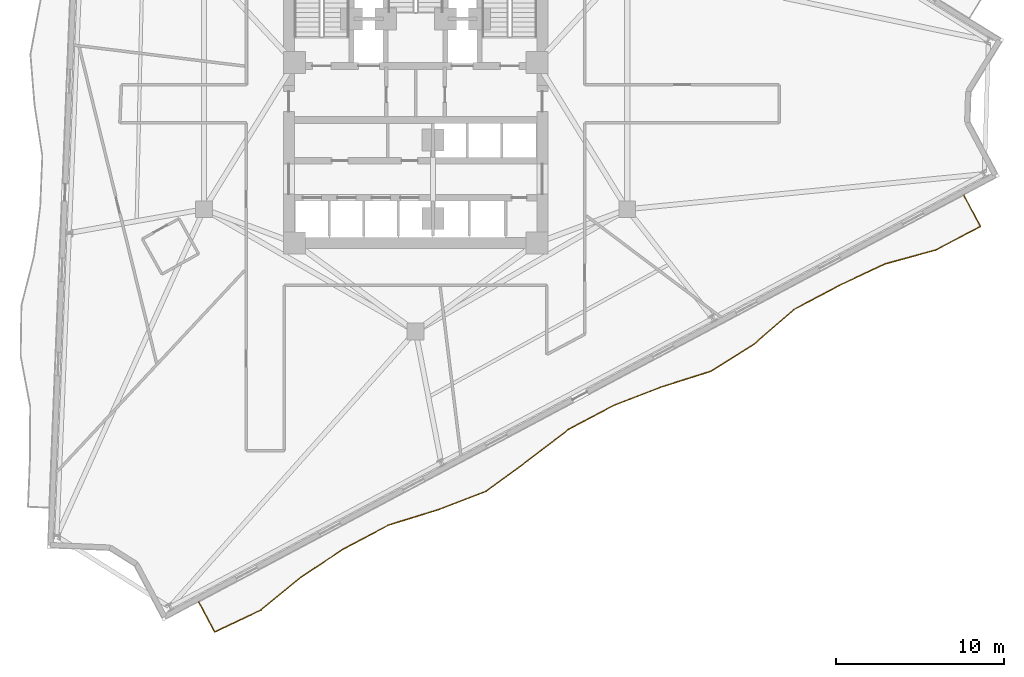
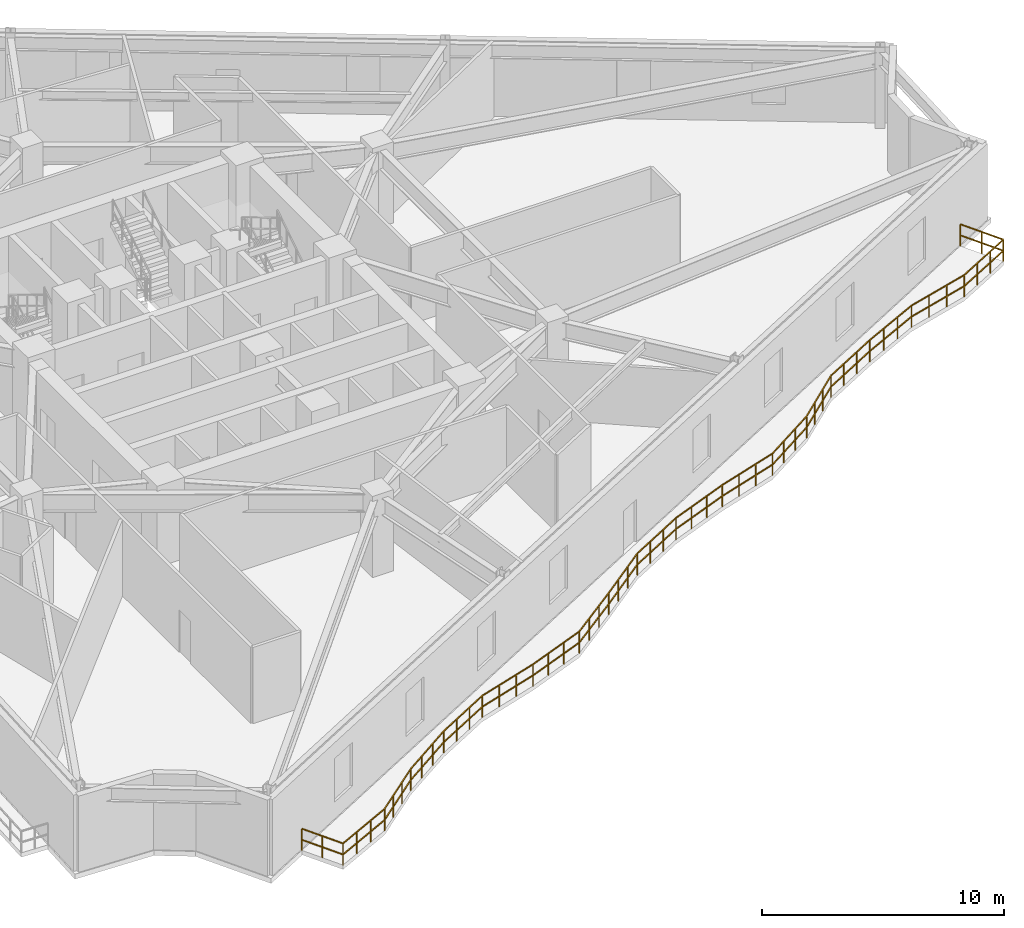
# One storey, part 9 of 12: 1 railing.
"""IFC4 building model written with IfcOpenShell, lengths in metres."""

import ifcopenshell
import ifcopenshell.guid

model = None  # the IFC model being written
_history = None  # IfcOwnerHistory: only IFC2X3 demands one
_inside = {}  # id of a spatial element -> (the spatial element, [elements in it])
_under = {}  # id of a project, library or spatial element -> (it, [spatial elements below it])
_declared = {}  # id of a project -> (the project, [libraries it declares])
_typed = {}  # id of a type object -> (the type object, [elements of that type])
_made_of = {}  # id of a material, layer set ... -> (it, [elements and type objects made of it])


def new_model(schema):
    """Start an empty IFC model of exactly this schema.

    Asked for "IFC4X3", IfcOpenShell would pick the latest addendum, in which some entities
    have other attributes; the version numbers below select the first issue.
    IFC2X3 requires an IfcOwnerHistory on every rooted entity: one is made here for all.
    """
    global model, _history
    if schema == "IFC4X3":
        model = ifcopenshell.file(schema_version=(4, 3, 0, 0))
    else:
        model = ifcopenshell.file(schema=schema)
    _inside.clear()
    _under.clear()
    _declared.clear()
    _typed.clear()
    _made_of.clear()
    _history = None
    if model.schema == "IFC2X3":
        org = make("IfcOrganization", Name="unknown")
        user = make(
            "IfcPersonAndOrganization",
            ThePerson=make("IfcPerson", FamilyName="unknown"),
            TheOrganization=org,
        )
        app = make(
            "IfcApplication",
            ApplicationDeveloper=org,
            Version="unknown",
            ApplicationFullName="unknown",
            ApplicationIdentifier="unknown",
        )
        _history = make(
            "IfcOwnerHistory",
            OwningUser=user,
            OwningApplication=app,
            ChangeAction="ADDED",
            CreationDate=0,
        )
    return model


def make(cls, **values):
    """One entity of the class cls with the attributes given. An attribute that is None is left unset."""
    return model.create_entity(
        cls, **{name: value for name, value in values.items() if value is not None}
    )


def rooted(cls, **values):
    """An entity with a GlobalId (a new one), such as an element, a storey or a relation."""
    return make(cls, GlobalId=ifcopenshell.guid.new(), OwnerHistory=_history, **values)


def si_unit(unit_type, name, prefix=None):
    """IfcSIUnit, for example si_unit("LENGTHUNIT", "METRE", prefix="MILLI")."""
    return make("IfcSIUnit", UnitType=unit_type, Prefix=prefix, Name=name)


def assignment(units):
    """IfcUnitAssignment: the units of a project."""
    return None if units is None else make("IfcUnitAssignment", Units=units)


def point(xyz):
    """IfcCartesianPoint."""
    return None if xyz is None else make("IfcCartesianPoint", Coordinates=xyz)


def direction(xyz):
    """IfcDirection."""
    return None if xyz is None else make("IfcDirection", DirectionRatios=xyz)


def frame(location, z_axis=None, x_axis=None):
    """IfcAxis2Placement3D, a coordinate frame: its origin and axes. An axis left out is left unset."""
    return make(
        "IfcAxis2Placement3D",
        Location=point(location),
        Axis=direction(z_axis),
        RefDirection=direction(x_axis),
    )


def frame_2d(location, x_axis=None):
    """IfcAxis2Placement2D, a coordinate frame in the plane: its origin and x axis."""
    return make(
        "IfcAxis2Placement2D", Location=point(location), RefDirection=direction(x_axis)
    )


def origin():
    """The frame at (0, 0, 0) with its axes left unset."""
    return frame((0.0, 0.0, 0.0))


def origin_2d():
    """The frame at (0, 0) in the plane with its x axis left unset."""
    return frame_2d((0.0, 0.0))


def place(relative_to, where):
    """IfcLocalPlacement: puts the frame where relative to a parent placement (None: the world)."""
    return make(
        "IfcLocalPlacement", PlacementRelTo=relative_to, RelativePlacement=where
    )


def context(
    kind, dimensions, precision=None, world=None, true_north=None, identifier=None
):
    """IfcGeometricRepresentationContext, for example the 3D "Model" context."""
    return make(
        "IfcGeometricRepresentationContext",
        ContextIdentifier=identifier,
        ContextType=kind,
        CoordinateSpaceDimension=dimensions,
        Precision=precision,
        WorldCoordinateSystem=world,
        TrueNorth=true_north,
    )


def subcontext(parent, identifier, kind, view, scale=None):
    """IfcGeometricRepresentationSubContext, for example "Body" below "Model"."""
    return make(
        "IfcGeometricRepresentationSubContext",
        ContextIdentifier=identifier,
        ContextType=kind,
        ParentContext=parent,
        TargetScale=scale,
        TargetView=view,
    )


def project(units=None, contexts=None):
    """IfcProject with its units and contexts."""
    return rooted(
        "IfcProject",
        Name="project",
        RepresentationContexts=contexts,
        UnitsInContext=assignment(units),
    )


def spatial(cls, under=None, at=None, **own):
    """A site, building, storey or space (cls), placed at a placement, below another one or the project."""
    s = rooted(cls, ObjectPlacement=at, **own)
    if under is not None:
        _under.setdefault(under.id(), (under, []))[1].append(s)
    return s


def profile(cls, at=None, kind="AREA", **sizes):
    """A parametric profile (cls). Its sizes go by their IFC names, for example OverallWidth=200.0."""
    return make(cls, ProfileType=kind, Position=at, **sizes)


def rectangle(**sizes):
    """IfcRectangleProfileDef."""
    return profile("IfcRectangleProfileDef", **sizes)


def extrude(swept, where, along, depth):
    """IfcExtrudedAreaSolid: the profile swept, set in the frame where, extruded along a direction by depth."""
    return make(
        "IfcExtrudedAreaSolid",
        SweptArea=swept,
        Position=where,
        ExtrudedDirection=direction(along),
        Depth=depth,
    )


def shape(context_of_items, identifier, shape_type, items):
    """IfcShapeRepresentation: the items that make up one representation, for example the "Body"."""
    return make(
        "IfcShapeRepresentation",
        ContextOfItems=context_of_items,
        RepresentationIdentifier=identifier,
        RepresentationType=shape_type,
        Items=items,
    )


def material(Name=None, Category=None):
    """IfcMaterial."""
    return make("IfcMaterial", Name=Name, Category=Category)


def made_of(thing, what):
    """Note that an element or type object is made of a material, layer set ...; save() writes the relation."""
    if what is not None:
        _made_of.setdefault(what.id(), (what, []))[1].append(thing)
    return thing


def type_object(cls, material=None, **own):
    """A type object (cls), such as IfcWallType, which elements share."""
    return made_of(rooted(cls, **own), material)


def element(
    cls,
    number,
    at=None,
    inside=None,
    cuts=None,
    type_object=None,
    material=None,
    context=None,
    identifier="Body",
    shape_type=None,
    held_by="IfcProductDefinitionShape",
    body=None,
    shapes=None,
    **own,
):
    """One element of the class cls, such as IfcWall. Its Tag is "e" and its number.

    at: its placement. inside: the storey or other place that contains it. cuts: it is an
    opening in that element (IfcRelVoidsElement). A single representation is given by context,
    identifier, shape_type and body (its items); several are given by shapes. held_by: the class
    of the entity that holds the representations. save() writes the other relations.
    """
    e = rooted(cls, Tag="e%d" % number, ObjectPlacement=at, **own)
    if body is not None:
        shapes = [shape(context, identifier, shape_type, body)]
    if shapes is not None:
        e.Representation = make(held_by, Representations=shapes)
    if inside is not None:
        _inside.setdefault(inside.id(), (inside, []))[1].append(e)
    if cuts is not None:
        rooted(
            "IfcRelVoidsElement", RelatingBuildingElement=cuts, RelatedOpeningElement=e
        )
    if type_object is not None:
        _typed.setdefault(type_object.id(), (type_object, []))[1].append(e)
    return made_of(e, material)


def aggregate(whole, parts):
    """IfcRelAggregates: a whole, such as a stair, and the parts it consists of."""
    return rooted("IfcRelAggregates", RelatingObject=whole, RelatedObjects=parts)


def save(model, path):
    """Write the relations noted so far, then the file.

    IfcRelAggregates (storeys below a building ...), IfcRelContainedInSpatialStructure (elements
    in a storey), IfcRelDefinesByType, IfcRelAssociatesMaterial and IfcRelDeclares: one each for
    every whole, place, type object, material and project.
    """
    for whole, parts in _under.values():
        aggregate(whole, parts)
    for where, things in _inside.values():
        rooted(
            "IfcRelContainedInSpatialStructure",
            RelatedElements=things,
            RelatingStructure=where,
        )
    for kind, things in _typed.values():
        rooted("IfcRelDefinesByType", RelatedObjects=things, RelatingType=kind)
    for what, things in _made_of.values():
        rooted("IfcRelAssociatesMaterial", RelatedObjects=things, RelatingMaterial=what)
    for by, libraries in _declared.values():
        rooted("IfcRelDeclares", RelatingContext=by, RelatedDefinitions=libraries)
    model.write(path)


model = new_model("IFC4")

# Units and contexts
model_context = context("Model", 3, precision=1e-05, world=origin(), true_north=direction((0.0, 1.0)))
body_context = subcontext(model_context, "Body", "Model", "MODEL_VIEW")
ifc_project = project(units=[si_unit("LENGTHUNIT", "METRE"), si_unit("AREAUNIT", "SQUARE_METRE"), si_unit("VOLUMEUNIT", "CUBIC_METRE"), si_unit("PLANEANGLEUNIT", "RADIAN"), si_unit("MASSUNIT", "GRAM", prefix="KILO")], contexts=[model_context])

# Site, building, storey
site_placement = place(None, origin())
site = spatial("IfcSite", under=ifc_project, at=site_placement, CompositionType="ELEMENT")
building_placement = place(site_placement, origin())
building = spatial("IfcBuilding", under=site, at=building_placement, Name="Apsidion Concourse Tower", CompositionType="ELEMENT")
storey_placement = place(building_placement, frame((0.0, 0.0, 165.5)))
storey = spatial("IfcBuildingStorey", under=building, at=storey_placement, Name="L38", CompositionType="ELEMENT", Elevation=165.5)

# Railing
ifc_material = material(Name="Brushed stainless steel 316", Category="steel")
railing_type = type_object("IfcRailingType", Name="RL-BAL-1120", PredefinedType="BALUSTRADE", material=ifc_material)
railing_placement = place(storey_placement, frame((32.549560546875, -6.426025390625, 0.0)))
element("IfcRailing", 1, at=railing_placement, inside=storey, type_object=railing_type, Name="L38 Face 2 Rippling Balcony Balustrade", PredefinedType="BALUSTRADE", context=body_context, shape_type="SweptSolid", body=[
    extrude(rectangle(XDim=0.048095703125, YDim=0.048095703125, at=origin_2d()), frame((0.0, 0.0, 1.09619140625), z_axis=(0.469416118165, -0.882977071054, 0.0), x_axis=(0.882977071054, 0.469416118165, 0.0)), (0.0, 0.0, 1.0), 2.09814453125),
    extrude(rectangle(XDim=0.048095703125, YDim=0.048095703125, at=origin_2d()), frame((0.0, 0.0, 0.5361328125), z_axis=(0.469416118165, -0.882977071054, 0.0), x_axis=(0.882977071054, 0.469416118165, 0.0)), (0.0, 0.0, 1.0), 2.09814453125),
    extrude(rectangle(XDim=0.048095703125, YDim=0.048095703125, at=origin_2d()), frame((0.98486328125, -1.8525390625, 1.09619140625), z_axis=(-0.885929420656, -0.463820074615, 0.0), x_axis=(0.463820074615, -0.885929420656, 0.0)), (0.0, 0.0, 1.0), 3.026123046875),
    extrude(rectangle(XDim=0.048095703125, YDim=0.048095703125, at=origin_2d()), frame((0.98486328125, -1.8525390625, 0.5361328125), z_axis=(-0.885929420656, -0.463820074615, 0.0), x_axis=(0.463820074615, -0.885929420656, 0.0)), (0.0, 0.0, 1.0), 3.026123046875),
    extrude(rectangle(XDim=0.048095703125, YDim=0.048095703125, at=origin_2d()), frame((-1.696044921875, -3.256103515625, 1.09619140625), z_axis=(-0.964580163974, -0.263789892277, 0.0), x_axis=(0.263789892277, -0.964580163974, 0.0)), (0.0, 0.0, 1.0), 3.102294921875),
    extrude(rectangle(XDim=0.048095703125, YDim=0.048095703125, at=origin_2d()), frame((-1.696044921875, -3.256103515625, 0.5361328125), z_axis=(-0.964580163974, -0.263789892277, 0.0), x_axis=(0.263789892277, -0.964580163974, 0.0)), (0.0, 0.0, 1.0), 3.102294921875),
    extrude(rectangle(XDim=0.048095703125, YDim=0.048095703125, at=origin_2d()), frame((-4.6884765625, -4.074462890625, 1.09619140625), z_axis=(-0.904595783753, -0.426270416538, 0.0), x_axis=(0.426270416538, -0.904595783753, 0.0)), (0.0, 0.0, 1.0), 3.02978515625),
    extrude(rectangle(XDim=0.048095703125, YDim=0.048095703125, at=origin_2d()), frame((-4.6884765625, -4.074462890625, 0.5361328125), z_axis=(-0.904595783753, -0.426270416538, 0.0), x_axis=(0.426270416538, -0.904595783753, 0.0)), (0.0, 0.0, 1.0), 3.02978515625),
    extrude(rectangle(XDim=0.048095703125, YDim=0.048095703125, at=origin_2d()), frame((-7.42919921875, -5.365966796875, 1.09619140625), z_axis=(-0.88294852993, -0.469469800408, 0.0), x_axis=(0.469469800408, -0.88294852993, 0.0)), (0.0, 0.0, 1.0), 3.026123046875),
    extrude(rectangle(XDim=0.048095703125, YDim=0.048095703125, at=origin_2d()), frame((-7.42919921875, -5.365966796875, 0.5361328125), z_axis=(-0.88294852993, -0.469469800408, 0.0), x_axis=(0.469469800408, -0.88294852993, 0.0)), (0.0, 0.0, 1.0), 3.026123046875),
    extrude(rectangle(XDim=0.048095703125, YDim=0.048095703125, at=origin_2d()), frame((-10.10107421875, -6.78662109375, 1.09619140625), z_axis=(-0.754525981243, -0.656270175789, 0.0), x_axis=(0.656270175789, -0.754525981243, 0.0)), (0.0, 0.0, 1.0), 3.10595703125),
    extrude(rectangle(XDim=0.048095703125, YDim=0.048095703125, at=origin_2d()), frame((-10.10107421875, -6.78662109375, 0.5361328125), z_axis=(-0.754525981243, -0.656270175789, 0.0), x_axis=(0.656270175789, -0.754525981243, 0.0)), (0.0, 0.0, 1.0), 3.10595703125),
    extrude(rectangle(XDim=0.048095703125, YDim=0.048095703125, at=origin_2d()), frame((-12.444580078125, -8.824951171875, 1.09619140625), z_axis=(-0.845653276131, -0.533732645215, 0.0), x_axis=(0.533732645215, -0.845653276131, 0.0)), (0.0, 0.0, 1.0), 3.034423828125),
    extrude(rectangle(XDim=0.048095703125, YDim=0.048095703125, at=origin_2d()), frame((-12.444580078125, -8.824951171875, 0.5361328125), z_axis=(-0.845653276131, -0.533732645215, 0.0), x_axis=(0.533732645215, -0.845653276131, 0.0)), (0.0, 0.0, 1.0), 3.034423828125),
    extrude(rectangle(XDim=0.048095703125, YDim=0.048095703125, at=origin_2d()), frame((-15.0107421875, -10.444580078125, 1.09619140625), z_axis=(-0.953449480839, -0.301552793865, 0.0), x_axis=(0.301552793865, -0.953449480839, 0.0)), (0.0, 0.0, 1.0), 3.077392578125),
    extrude(rectangle(XDim=0.048095703125, YDim=0.048095703125, at=origin_2d()), frame((-15.0107421875, -10.444580078125, 0.5361328125), z_axis=(-0.953449480839, -0.301552793865, 0.0), x_axis=(0.301552793865, -0.953449480839, 0.0)), (0.0, 0.0, 1.0), 3.077392578125),
    extrude(rectangle(XDim=0.048095703125, YDim=0.048095703125, at=origin_2d()), frame((-17.94482421875, -11.37255859375, 1.09619140625), z_axis=(-0.933017023348, -0.35983223055, 0.0), x_axis=(0.35983223055, -0.933017023348, 0.0)), (0.0, 0.0, 1.0), 3.04833984375),
    extrude(rectangle(XDim=0.048095703125, YDim=0.048095703125, at=origin_2d()), frame((-17.94482421875, -11.37255859375, 0.5361328125), z_axis=(-0.933017023348, -0.35983223055, 0.0), x_axis=(0.35983223055, -0.933017023348, 0.0)), (0.0, 0.0, 1.0), 3.04833984375),
    extrude(rectangle(XDim=0.048095703125, YDim=0.048095703125, at=origin_2d()), frame((-20.7890625, -12.469482421875, 1.09619140625), z_axis=(-0.88294852993, -0.469469800408, 0.0), x_axis=(0.469469800408, -0.88294852993, 0.0)), (0.0, 0.0, 1.0), 3.026123046875),
    extrude(rectangle(XDim=0.048095703125, YDim=0.048095703125, at=origin_2d()), frame((-20.7890625, -12.469482421875, 0.5361328125), z_axis=(-0.88294852993, -0.469469800408, 0.0), x_axis=(0.469469800408, -0.88294852993, 0.0)), (0.0, 0.0, 1.0), 3.026123046875),
    extrude(rectangle(XDim=0.048095703125, YDim=0.048095703125, at=origin_2d()), frame((-23.4609375, -13.89013671875, 1.09619140625), z_axis=(-0.793643504205, -0.608383093317, 0.0), x_axis=(0.608383093317, -0.793643504205, 0.0)), (0.0, 0.0, 1.0), 3.06787109375),
    extrude(rectangle(XDim=0.048095703125, YDim=0.048095703125, at=origin_2d()), frame((-23.4609375, -13.89013671875, 0.5361328125), z_axis=(-0.793643504205, -0.608383093317, 0.0), x_axis=(0.608383093317, -0.793643504205, 0.0)), (0.0, 0.0, 1.0), 3.06787109375),
    extrude(rectangle(XDim=0.048095703125, YDim=0.048095703125, at=origin_2d()), frame((-25.895751953125, -15.756591796875, 1.09619140625), z_axis=(-0.805454894, -0.592657079373, 0.0), x_axis=(0.592657079373, -0.805454894, 0.0)), (0.0, 0.0, 1.0), 3.05859375),
    extrude(rectangle(XDim=0.048095703125, YDim=0.048095703125, at=origin_2d()), frame((-25.895751953125, -15.756591796875, 0.5361328125), z_axis=(-0.805454894, -0.592657079373, 0.0), x_axis=(0.592657079373, -0.805454894, 0.0)), (0.0, 0.0, 1.0), 3.05859375),
    extrude(rectangle(XDim=0.048095703125, YDim=0.048095703125, at=origin_2d()), frame((-28.359375, -17.5693359375, 1.09619140625), z_axis=(-0.933347669962, -0.35897371349, 0.0), x_axis=(0.35897371349, -0.933347669962, 0.0)), (0.0, 0.0, 1.0), 3.048828125),
    extrude(rectangle(XDim=0.048095703125, YDim=0.048095703125, at=origin_2d()), frame((-28.359375, -17.5693359375, 0.5361328125), z_axis=(-0.933347669962, -0.35897371349, 0.0), x_axis=(0.35897371349, -0.933347669962, 0.0)), (0.0, 0.0, 1.0), 3.048828125),
    extrude(rectangle(XDim=0.048095703125, YDim=0.048095703125, at=origin_2d()), frame((-31.205078125, -18.663818359375, 1.09619140625), z_axis=(-0.955470091575, -0.295087959946, 0.0), x_axis=(0.295087959946, -0.955470091575, 0.0)), (0.0, 0.0, 1.0), 3.0810546875),
    extrude(rectangle(XDim=0.048095703125, YDim=0.048095703125, at=origin_2d()), frame((-31.205078125, -18.663818359375, 0.5361328125), z_axis=(-0.955470091575, -0.295087959946, 0.0), x_axis=(0.295087959946, -0.955470091575, 0.0)), (0.0, 0.0, 1.0), 3.0810546875),
    extrude(rectangle(XDim=0.048095703125, YDim=0.048095703125, at=origin_2d()), frame((-34.14892578125, -19.572998046875, 1.09619140625), z_axis=(-0.882915086178, -0.469532693856, 0.0), x_axis=(0.469532693856, -0.882915086178, 0.0)), (0.0, 0.0, 1.0), 3.026123046875),
    extrude(rectangle(XDim=0.048095703125, YDim=0.048095703125, at=origin_2d()), frame((-34.14892578125, -19.572998046875, 0.5361328125), z_axis=(-0.882915086178, -0.469532693856, 0.0), x_axis=(0.469532693856, -0.882915086178, 0.0)), (0.0, 0.0, 1.0), 3.026123046875),
    extrude(rectangle(XDim=0.048095703125, YDim=0.048095703125, at=origin_2d()), frame((-36.82080078125, -20.993896484375, 1.09619140625), z_axis=(-0.834771108216, -0.550597127569, 0.0), x_axis=(0.550597127569, -0.834771108216, 0.0)), (0.0, 0.0, 1.0), 3.03955078125),
    extrude(rectangle(XDim=0.048095703125, YDim=0.048095703125, at=origin_2d()), frame((-36.82080078125, -20.993896484375, 0.5361328125), z_axis=(-0.834771108216, -0.550597127569, 0.0), x_axis=(0.550597127569, -0.834771108216, 0.0)), (0.0, 0.0, 1.0), 3.03955078125),
    extrude(rectangle(XDim=0.048095703125, YDim=0.048095703125, at=origin_2d()), frame((-39.358154296875, -22.66748046875, 1.09619140625), z_axis=(-0.772475481579, -0.635044589268, 0.0), x_axis=(0.635044589268, -0.772475481579, 0.0)), (0.0, 0.0, 1.0), 3.08740234375),
    extrude(rectangle(XDim=0.048095703125, YDim=0.048095703125, at=origin_2d()), frame((-39.358154296875, -22.66748046875, 0.5361328125), z_axis=(-0.772475481579, -0.635044589268, 0.0), x_axis=(0.635044589268, -0.772475481579, 0.0)), (0.0, 0.0, 1.0), 3.08740234375),
    extrude(rectangle(XDim=0.048095703125, YDim=0.048095703125, at=origin_2d()), frame((-41.7431640625, -24.628173828125, 1.09619140625), z_axis=(-0.903471833713, -0.428647460844, 0.0), x_axis=(0.428647460844, -0.903471833713, 0.0)), (0.0, 0.0, 1.0), 3.029541015625),
    extrude(rectangle(XDim=0.048095703125, YDim=0.048095703125, at=origin_2d()), frame((-41.7431640625, -24.628173828125, 0.5361328125), z_axis=(-0.903471833713, -0.428647460844, 0.0), x_axis=(0.428647460844, -0.903471833713, 0.0)), (0.0, 0.0, 1.0), 3.029541015625),
    extrude(rectangle(XDim=0.048095703125, YDim=0.048095703125, at=origin_2d()), frame((-44.480224609375, -25.9267578125, 1.09619140625), z_axis=(-0.469427602063, 0.882970965786, 0.0), x_axis=(-0.882970965786, -0.469427602063, 0.0)), (0.0, 0.0, 1.0), 2.009521484375),
    extrude(rectangle(XDim=0.048095703125, YDim=0.048095703125, at=origin_2d()), frame((-44.480224609375, -25.9267578125, 0.5361328125), z_axis=(-0.469427602063, 0.882970965786, 0.0), x_axis=(-0.882970965786, -0.469427602063, 0.0)), (0.0, 0.0, 1.0), 2.009521484375),
    extrude(rectangle(XDim=0.0419921875, YDim=0.0419921875, at=origin_2d()), origin(), (0.0, 0.0, 1.0), 1.072021484375),
    extrude(rectangle(XDim=0.0419921875, YDim=0.0419921875, at=origin_2d()), frame((0.492431640625, -0.92626953125, 0.0)), (0.0, 0.0, 1.0), 1.072021484375),
    extrude(rectangle(XDim=0.0419921875, YDim=0.0419921875, at=origin_2d()), frame((0.98486328125, -1.8525390625, 0.0)), (0.0, 0.0, 1.0), 1.072021484375),
    extrude(rectangle(XDim=0.0419921875, YDim=0.0419921875, at=origin_2d()), frame((0.09130859375, -2.3203125, 0.0)), (0.0, 0.0, 1.0), 1.072021484375),
    extrude(rectangle(XDim=0.0419921875, YDim=0.0419921875, at=origin_2d()), frame((-0.802490234375, -2.788330078125, 0.0)), (0.0, 0.0, 1.0), 1.072021484375),
    extrude(rectangle(XDim=0.0419921875, YDim=0.0419921875, at=origin_2d()), frame((-1.696044921875, -3.256103515625, 0.0)), (0.0, 0.0, 1.0), 1.072021484375),
    extrude(rectangle(XDim=0.0419921875, YDim=0.0419921875, at=origin_2d()), frame((-2.693603515625, -3.52880859375, 0.0)), (0.0, 0.0, 1.0), 1.072021484375),
    extrude(rectangle(XDim=0.0419921875, YDim=0.0419921875, at=origin_2d()), frame((-3.69091796875, -3.8017578125, 0.0)), (0.0, 0.0, 1.0), 1.072021484375),
    extrude(rectangle(XDim=0.0419921875, YDim=0.0419921875, at=origin_2d()), frame((-4.6884765625, -4.074462890625, 0.0)), (0.0, 0.0, 1.0), 1.072021484375),
    extrude(rectangle(XDim=0.0419921875, YDim=0.0419921875, at=origin_2d()), frame((-5.60205078125, -4.5048828125, 0.0)), (0.0, 0.0, 1.0), 1.072021484375),
    extrude(rectangle(XDim=0.0419921875, YDim=0.0419921875, at=origin_2d()), frame((-6.515625, -4.935546875, 0.0)), (0.0, 0.0, 1.0), 1.072021484375),
    extrude(rectangle(XDim=0.0419921875, YDim=0.0419921875, at=origin_2d()), frame((-7.42919921875, -5.365966796875, 0.0)), (0.0, 0.0, 1.0), 1.072021484375),
    extrude(rectangle(XDim=0.0419921875, YDim=0.0419921875, at=origin_2d()), frame((-8.31982421875, -5.839599609375, 0.0)), (0.0, 0.0, 1.0), 1.072021484375),
    extrude(rectangle(XDim=0.0419921875, YDim=0.0419921875, at=origin_2d()), frame((-9.21044921875, -6.31298828125, 0.0)), (0.0, 0.0, 1.0), 1.072021484375),
    extrude(rectangle(XDim=0.0419921875, YDim=0.0419921875, at=origin_2d()), frame((-10.10107421875, -6.78662109375, 0.0)), (0.0, 0.0, 1.0), 1.072021484375),
    extrude(rectangle(XDim=0.0419921875, YDim=0.0419921875, at=origin_2d()), frame((-10.88232421875, -7.466064453125, 0.0)), (0.0, 0.0, 1.0), 1.072021484375),
    extrude(rectangle(XDim=0.0419921875, YDim=0.0419921875, at=origin_2d()), frame((-11.663330078125, -8.1455078125, 0.0)), (0.0, 0.0, 1.0), 1.072021484375),
    extrude(rectangle(XDim=0.0419921875, YDim=0.0419921875, at=origin_2d()), frame((-12.444580078125, -8.824951171875, 0.0)), (0.0, 0.0, 1.0), 1.072021484375),
    extrude(rectangle(XDim=0.0419921875, YDim=0.0419921875, at=origin_2d()), frame((-13.300048828125, -9.36474609375, 0.0)), (0.0, 0.0, 1.0), 1.072021484375),
    extrude(rectangle(XDim=0.0419921875, YDim=0.0419921875, at=origin_2d()), frame((-14.1552734375, -9.90478515625, 0.0)), (0.0, 0.0, 1.0), 1.072021484375),
    extrude(rectangle(XDim=0.0419921875, YDim=0.0419921875, at=origin_2d()), frame((-15.0107421875, -10.444580078125, 0.0)), (0.0, 0.0, 1.0), 1.072021484375),
    extrude(rectangle(XDim=0.0419921875, YDim=0.0419921875, at=origin_2d()), frame((-15.98876953125, -10.75390625, 0.0)), (0.0, 0.0, 1.0), 1.072021484375),
    extrude(rectangle(XDim=0.0419921875, YDim=0.0419921875, at=origin_2d()), frame((-16.966796875, -11.063232421875, 0.0)), (0.0, 0.0, 1.0), 1.072021484375),
    extrude(rectangle(XDim=0.0419921875, YDim=0.0419921875, at=origin_2d()), frame((-17.94482421875, -11.37255859375, 0.0)), (0.0, 0.0, 1.0), 1.072021484375),
    extrude(rectangle(XDim=0.0419921875, YDim=0.0419921875, at=origin_2d()), frame((-18.892822265625, -11.73828125, 0.0)), (0.0, 0.0, 1.0), 1.072021484375),
    extrude(rectangle(XDim=0.0419921875, YDim=0.0419921875, at=origin_2d()), frame((-19.841064453125, -12.103759765625, 0.0)), (0.0, 0.0, 1.0), 1.072021484375),
    extrude(rectangle(XDim=0.0419921875, YDim=0.0419921875, at=origin_2d()), frame((-20.7890625, -12.469482421875, 0.0)), (0.0, 0.0, 1.0), 1.072021484375),
    extrude(rectangle(XDim=0.0419921875, YDim=0.0419921875, at=origin_2d()), frame((-21.6796875, -12.943115234375, 0.0)), (0.0, 0.0, 1.0), 1.072021484375),
    extrude(rectangle(XDim=0.0419921875, YDim=0.0419921875, at=origin_2d()), frame((-22.5703125, -13.41650390625, 0.0)), (0.0, 0.0, 1.0), 1.072021484375),
    extrude(rectangle(XDim=0.0419921875, YDim=0.0419921875, at=origin_2d()), frame((-23.4609375, -13.89013671875, 0.0)), (0.0, 0.0, 1.0), 1.072021484375),
    extrude(rectangle(XDim=0.0419921875, YDim=0.0419921875, at=origin_2d()), frame((-24.2724609375, -14.51220703125, 0.0)), (0.0, 0.0, 1.0), 1.072021484375),
    extrude(rectangle(XDim=0.0419921875, YDim=0.0419921875, at=origin_2d()), frame((-25.084228515625, -15.134521484375, 0.0)), (0.0, 0.0, 1.0), 1.072021484375),
    extrude(rectangle(XDim=0.0419921875, YDim=0.0419921875, at=origin_2d()), frame((-25.895751953125, -15.756591796875, 0.0)), (0.0, 0.0, 1.0), 1.072021484375),
    extrude(rectangle(XDim=0.0419921875, YDim=0.0419921875, at=origin_2d()), frame((-26.717041015625, -16.36083984375, 0.0)), (0.0, 0.0, 1.0), 1.072021484375),
    extrude(rectangle(XDim=0.0419921875, YDim=0.0419921875, at=origin_2d()), frame((-27.5380859375, -16.965087890625, 0.0)), (0.0, 0.0, 1.0), 1.072021484375),
    extrude(rectangle(XDim=0.0419921875, YDim=0.0419921875, at=origin_2d()), frame((-28.359375, -17.5693359375, 0.0)), (0.0, 0.0, 1.0), 1.072021484375),
    extrude(rectangle(XDim=0.0419921875, YDim=0.0419921875, at=origin_2d()), frame((-29.307861328125, -17.93408203125, 0.0)), (0.0, 0.0, 1.0), 1.072021484375),
    extrude(rectangle(XDim=0.0419921875, YDim=0.0419921875, at=origin_2d()), frame((-30.256591796875, -18.299072265625, 0.0)), (0.0, 0.0, 1.0), 1.072021484375),
    extrude(rectangle(XDim=0.0419921875, YDim=0.0419921875, at=origin_2d()), frame((-31.205078125, -18.663818359375, 0.0)), (0.0, 0.0, 1.0), 1.072021484375),
    extrude(rectangle(XDim=0.0419921875, YDim=0.0419921875, at=origin_2d()), frame((-32.186279296875, -18.966796875, 0.0)), (0.0, 0.0, 1.0), 1.072021484375),
    extrude(rectangle(XDim=0.0419921875, YDim=0.0419921875, at=origin_2d()), frame((-33.167724609375, -19.27001953125, 0.0)), (0.0, 0.0, 1.0), 1.072021484375),
    extrude(rectangle(XDim=0.0419921875, YDim=0.0419921875, at=origin_2d()), frame((-34.14892578125, -19.572998046875, 0.0)), (0.0, 0.0, 1.0), 1.072021484375),
    extrude(rectangle(XDim=0.0419921875, YDim=0.0419921875, at=origin_2d()), frame((-35.03955078125, -20.046630859375, 0.0)), (0.0, 0.0, 1.0), 1.072021484375),
    extrude(rectangle(XDim=0.0419921875, YDim=0.0419921875, at=origin_2d()), frame((-35.93017578125, -20.520263671875, 0.0)), (0.0, 0.0, 1.0), 1.072021484375),
    extrude(rectangle(XDim=0.0419921875, YDim=0.0419921875, at=origin_2d()), frame((-36.82080078125, -20.993896484375, 0.0)), (0.0, 0.0, 1.0), 1.072021484375),
    extrude(rectangle(XDim=0.0419921875, YDim=0.0419921875, at=origin_2d()), frame((-37.66650390625, -21.5517578125, 0.0)), (0.0, 0.0, 1.0), 1.072021484375),
    extrude(rectangle(XDim=0.0419921875, YDim=0.0419921875, at=origin_2d()), frame((-38.512451171875, -22.109619140625, 0.0)), (0.0, 0.0, 1.0), 1.072021484375),
    extrude(rectangle(XDim=0.0419921875, YDim=0.0419921875, at=origin_2d()), frame((-39.358154296875, -22.66748046875, 0.0)), (0.0, 0.0, 1.0), 1.072021484375),
    extrude(rectangle(XDim=0.0419921875, YDim=0.0419921875, at=origin_2d()), frame((-40.153076171875, -23.321044921875, 0.0)), (0.0, 0.0, 1.0), 1.072021484375),
    extrude(rectangle(XDim=0.0419921875, YDim=0.0419921875, at=origin_2d()), frame((-40.9482421875, -23.974609375, 0.0)), (0.0, 0.0, 1.0), 1.072021484375),
    extrude(rectangle(XDim=0.0419921875, YDim=0.0419921875, at=origin_2d()), frame((-41.7431640625, -24.628173828125, 0.0)), (0.0, 0.0, 1.0), 1.072021484375),
    extrude(rectangle(XDim=0.0419921875, YDim=0.0419921875, at=origin_2d()), frame((-42.655517578125, -25.06103515625, 0.0)), (0.0, 0.0, 1.0), 1.072021484375),
    extrude(rectangle(XDim=0.0419921875, YDim=0.0419921875, at=origin_2d()), frame((-43.56787109375, -25.493896484375, 0.0)), (0.0, 0.0, 1.0), 1.072021484375),
    extrude(rectangle(XDim=0.0419921875, YDim=0.0419921875, at=origin_2d()), frame((-44.480224609375, -25.9267578125, 0.0)), (0.0, 0.0, 1.0), 1.072021484375),
    extrude(rectangle(XDim=0.0419921875, YDim=0.0419921875, at=origin_2d()), frame((-44.951904296875, -25.03955078125, 0.0)), (0.0, 0.0, 1.0), 1.072021484375),
    extrude(rectangle(XDim=0.0419921875, YDim=0.0419921875, at=origin_2d()), frame((-45.423583984375, -24.15234375, 0.0)), (0.0, 0.0, 1.0), 1.072021484375),
])

save(model, "model.ifc")
